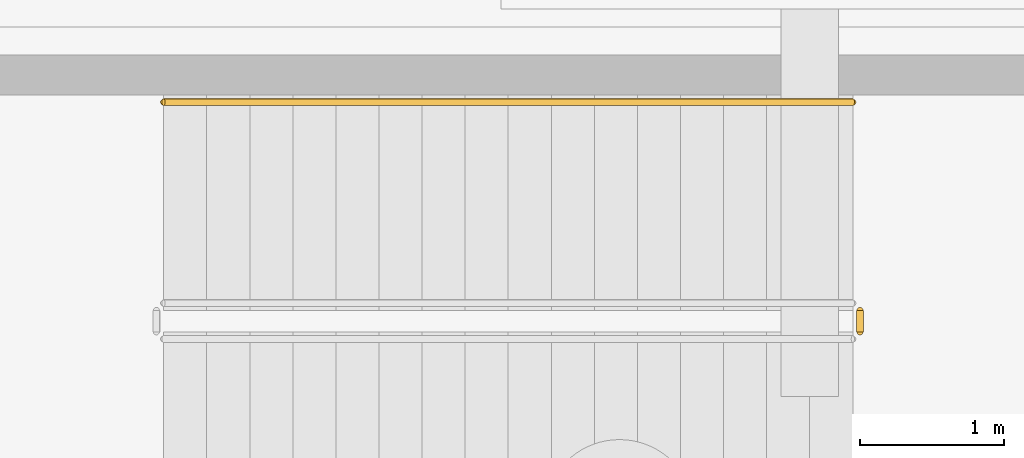
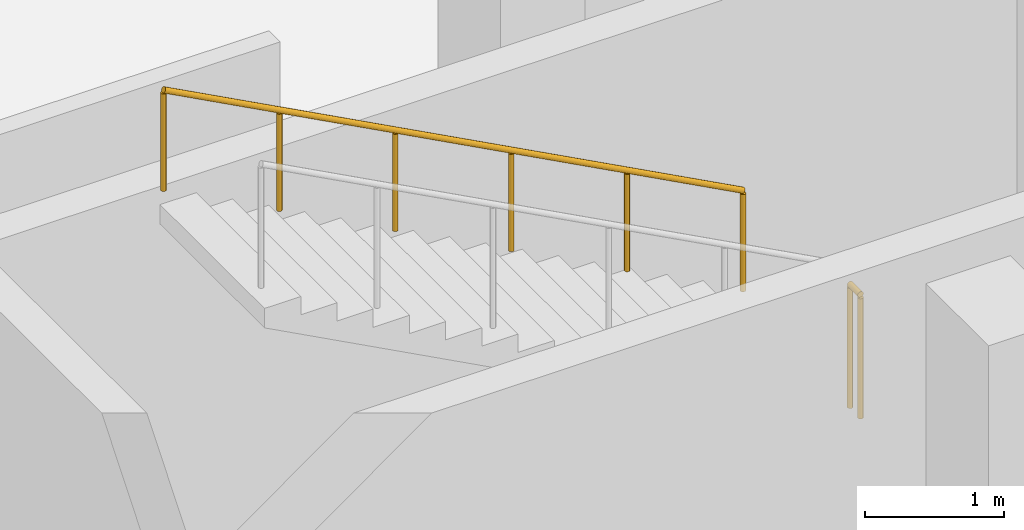
# One storey, part 69 of 83: 2 railings.
"""IFC4 building model written with IfcOpenShell, lengths in metres."""

from ifc_helpers import new_model, si_unit, direction, frame, origin, origin_2d, place, context, subcontext, project, spatial, circle, extrude, material, type_object, element, save


model = new_model("IFC4")

# Units and contexts
model_context = context("Model", 3, precision=1e-05, world=origin(), true_north=direction((0.0, 1.0)))
body_context = subcontext(model_context, "Body", "Model", "MODEL_VIEW")
ifc_project = project(units=[si_unit("LENGTHUNIT", "METRE"), si_unit("AREAUNIT", "SQUARE_METRE"), si_unit("VOLUMEUNIT", "CUBIC_METRE"), si_unit("PLANEANGLEUNIT", "RADIAN"), si_unit("MASSUNIT", "GRAM", prefix="KILO"), si_unit("THERMODYNAMICTEMPERATUREUNIT", "KELVIN"), si_unit("POWERUNIT", "WATT")], contexts=[model_context])

# Site, building, storey
site_placement = place(None, origin())
site = spatial("IfcSite", under=ifc_project, at=site_placement, CompositionType="ELEMENT")
building_placement = place(site_placement, origin())
building = spatial("IfcBuilding", under=site, at=building_placement, Name="Mavoryth Pier Ferry Terminal", CompositionType="ELEMENT")
storey_placement = place(building_placement, origin())
storey = spatial("IfcBuildingStorey", under=building, at=storey_placement, Name="L00", CompositionType="ELEMENT", Elevation=0.0)

# Railings
ifc_material_1 = material(Name="Painted Galvanised Steel Balustrade", Category="steel")
railing_type_1 = type_object("IfcRailingType", Name="Guard-Stair-Steel1100", PredefinedType="GUARDRAIL", material=ifc_material_1)
railing_1_placement = place(storey_placement, frame((67.550048828125, 9.60009765625, 2.719970703125)))
element("IfcRailing", 1, at=railing_1_placement, inside=storey, type_object=railing_type_1, Name="L00 ST12 stair guard 2", PredefinedType="GUARDRAIL", context=body_context, shape_type="SweptSolid", body=[
    extrude(circle(Radius=0.02392578125, at=origin_2d()), frame((0.0, 0.0, 1.076171875), z_axis=(0.0, 1.0, 0.0), x_axis=(-1.0, 0.0, 0.0)), (0.0, 0.0, 1.0), 0.14990234375),
    extrude(circle(Radius=0.02099609375, at=origin_2d()), origin(), (0.0, 0.0, 1.0), 1.052001953125),
    extrude(circle(Radius=0.02099609375, at=origin_2d()), frame((0.0, 0.14990234375, 0.0)), (0.0, 0.0, 1.0), 1.052001953125),
])
ifc_material_2 = material(Name="Brushed Stainless Steel Tubular Handrail", Category="steel")
railing_type_2 = type_object("IfcRailingType", Name="Handrail-Stair-SS900", PredefinedType="HANDRAIL", material=ifc_material_2)
railing_2_placement = place(storey_placement, frame((67.5, 11.199951171875, 2.8798828125)))
element("IfcRailing", 2, at=railing_2_placement, inside=storey, type_object=railing_type_2, Name="L00 ST12 stair handrail 2", PredefinedType="HANDRAIL", context=body_context, shape_type="SweptSolid", body=[
    extrude(circle(Radius=0.02392578125, at=origin_2d()), frame((0.0, 0.0, 0.8759765625), z_axis=(-0.882350456557, 0.0, 0.470592893925), x_axis=(0.0, -1.0, 0.0)), (0.0, 0.0, 1.0), 5.440185546875),
    extrude(circle(Radius=0.02099609375, at=origin_2d()), origin(), (0.0, 0.0, 1.0), 0.851806640625),
    extrude(circle(Radius=0.02099609375, at=origin_2d()), frame((-0.9599609375, 0.0, 0.511962890625)), (0.0, 0.0, 1.0), 0.851806640625),
    extrude(circle(Radius=0.02099609375, at=origin_2d()), frame((-1.919921875, 0.0, 1.02392578125)), (0.0, 0.0, 1.0), 0.851806640625),
    extrude(circle(Radius=0.02099609375, at=origin_2d()), frame((-2.880126953125, 0.0, 1.5361328125)), (0.0, 0.0, 1.0), 0.851806640625),
    extrude(circle(Radius=0.02099609375, at=origin_2d()), frame((-3.840087890625, 0.0, 2.048095703125)), (0.0, 0.0, 1.0), 0.851806640625),
    extrude(circle(Radius=0.02099609375, at=origin_2d()), frame((-4.800048828125, 0.0, 2.56005859375)), (0.0, 0.0, 1.0), 0.851806640625),
])

save(model, "model.ifc")
